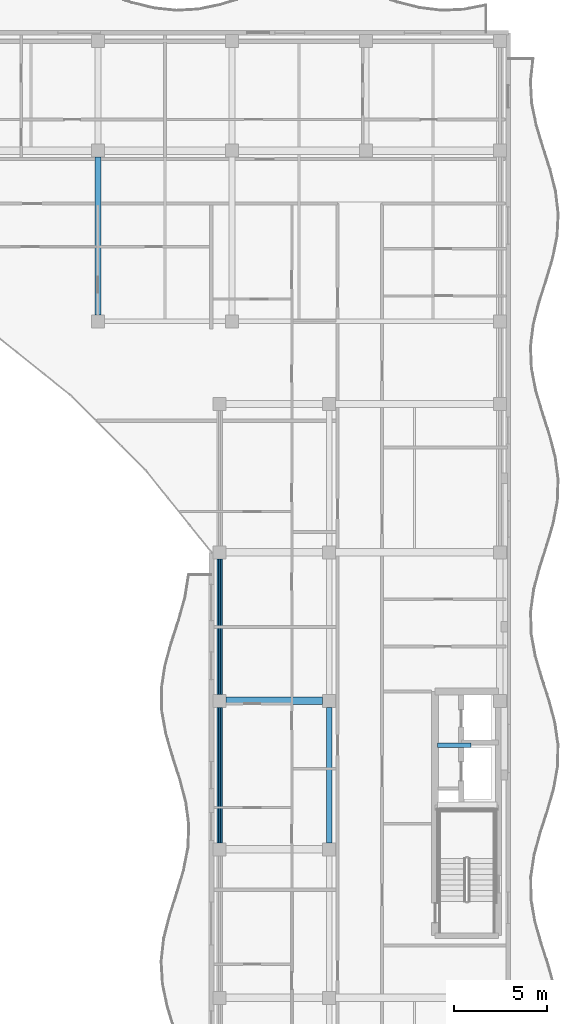
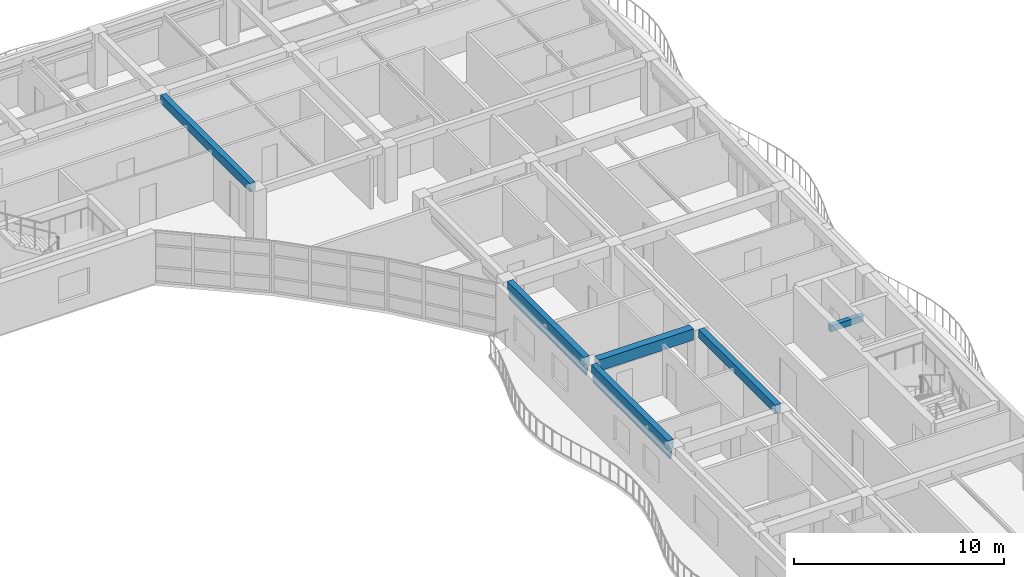
# One storey, part 66 of 128: 6 beams, 4 members.
"""IFC4 building model written with IfcOpenShell, lengths in metres."""

from ifc_helpers import new_model, si_unit, direction, frame, origin, origin_2d, place, context, subcontext, project, spatial, rectangle, hollow_rectangle, extrude, material, material_profile, profile_set, type_object, element, save


model = new_model("IFC4")

# Units and contexts
model_context = context("Model", 3, precision=1e-05, world=origin(), true_north=direction((0.0, 1.0)))
body_context = subcontext(model_context, "Body", "Model", "MODEL_VIEW")
ifc_project = project(units=[si_unit("LENGTHUNIT", "METRE"), si_unit("AREAUNIT", "SQUARE_METRE"), si_unit("VOLUMEUNIT", "CUBIC_METRE"), si_unit("PLANEANGLEUNIT", "RADIAN"), si_unit("MASSUNIT", "GRAM", prefix="KILO")], contexts=[model_context])

# Site, building, storey
site_placement = place(None, origin())
site = spatial("IfcSite", under=ifc_project, at=site_placement, CompositionType="ELEMENT")
building_placement = place(site_placement, origin())
building = spatial("IfcBuilding", under=site, at=building_placement, Name="Keldmere Railside Commons", CompositionType="ELEMENT")
storey_placement = place(building_placement, frame((0.0, 0.0, 4.159912109375)))
storey = spatial("IfcBuildingStorey", under=building, at=storey_placement, Name="L01", CompositionType="ELEMENT", Elevation=4.159912109375)

# Members
ifc_material_1 = material(Name="Steel F-36 (S355)", Category="steel")
ifc_material_profile_1 = material_profile(ifc_material_1, hollow_rectangle(XDim=0.14990234375, YDim=0.25, WallThickness=0.010009765625, at=origin_2d()), Name="RHS-250x150x10")
ifc_profile_set_1 = profile_set([ifc_material_profile_1], Name="Steel F-36 (S355)")
member_type_1 = type_object("IfcMemberType", Name="Balcony Continuous Planted Trough RHS250x150", PredefinedType="CHORD", material=ifc_profile_set_1)
for number, where, z_axis, x_axis, name in (
    (1, (168.449951171875, 72.35009765625, 2.4150390625), (0.0, 1.0, 0.0), (-1.0, 0.0, 0.0), "PLT-1 MEM-BPLT-0195"),
    (2, (168.449951171875, 80.35009765625, 2.4150390625), (0.0, 1.0, 0.0), (-1.0, 0.0, 0.0), "PLT-1 MEM-BPLT-0197"),
):
    element("IfcMember", number, at=place(storey_placement, frame(where, z_axis=z_axis, x_axis=x_axis)), inside=storey, type_object=member_type_1, Name=name, PredefinedType="CHORD", context=body_context, shape_type="SweptSolid", body=[
        extrude(hollow_rectangle(XDim=0.14990234375, YDim=0.25, WallThickness=0.010009765625, at=origin_2d()), origin(), (0.0, 0.0, 1.0), 7.2998046875),
    ])

# Beams
ifc_material_2 = material(Name="Concrete H-30 (C30/37)", Category="concrete")
ifc_material_profile_2 = material_profile(ifc_material_2, rectangle(XDim=0.25, YDim=0.35009765625, at=origin_2d()), Name="RC-250x350")
ifc_profile_set_2 = profile_set([ifc_material_profile_2], Name="Concrete H-30 (C30/37)")
beam_type_1 = type_object("IfcBeamType", Name="Masonry Opening RC Lintel 250x350", PredefinedType="LINTEL", material=ifc_profile_set_2)
beam_1_placement = place(storey_placement, frame((180.18994140625, 77.60009765625, 2.425048828125), z_axis=(1.0, 0.0, 0.0), x_axis=(0.0, 1.0, 0.0)))
element("IfcBeam", 3, at=beam_1_placement, inside=storey, type_object=beam_type_1, Name="LNT-1 BM-L01-2566", PredefinedType="LINTEL", context=body_context, shape_type="SweptSolid", body=[
    extrude(rectangle(XDim=0.25, YDim=0.35009765625, at=origin_2d()), origin(), (0.0, 0.0, 1.0), 1.81005859375),
])
ifc_material_profile_3 = material_profile(ifc_material_2, rectangle(XDim=0.39990234375, YDim=0.64990234375, at=origin_2d()), Name="RC-400x650")
ifc_profile_set_3 = profile_set([ifc_material_profile_3], Name="Concrete H-30 (C30/37)")
beam_type_2 = type_object("IfcBeamType", Name="Residential Spine RC Girder 400x650", PredefinedType="BEAM", material=ifc_profile_set_3)
beam_2_placement = place(storey_placement, frame((168.800048828125, 80.0, 2.875), z_axis=(1.0, 0.0, 0.0), x_axis=(0.0, 1.0, 0.0)))
element("IfcBeam", 4, at=beam_2_placement, inside=storey, type_object=beam_type_2, Name="BG-3 BM-L01-0802", PredefinedType="BEAM", context=body_context, shape_type="SweptSolid", body=[
    extrude(rectangle(XDim=0.39990234375, YDim=0.64990234375, at=origin_2d()), origin(), (0.0, 0.0, 1.0), 5.199951171875),
])
ifc_material_profile_4 = material_profile(ifc_material_2, rectangle(XDim=0.300048828125, YDim=0.5, at=origin_2d()), Name="RC-300x500")
ifc_profile_set_4 = profile_set([ifc_material_profile_4], Name="Concrete H-30 (C30/37)")
beam_type_3 = type_object("IfcBeamType", Name="Secondary Frame RC Beam 300x500", PredefinedType="BEAM", material=ifc_profile_set_4)
beam_3_placement = place(storey_placement, frame((161.889892578125, 100.800048828125, 2.9501953125), z_axis=(0.0, 1.0, 0.0), x_axis=(-1.0, 0.0, 0.0)))
element("IfcBeam", 5, at=beam_3_placement, inside=storey, type_object=beam_type_3, Name="BG-5 BM-L01-0953", PredefinedType="BEAM", context=body_context, shape_type="SweptSolid", body=[
    extrude(rectangle(XDim=0.300048828125, YDim=0.5, at=origin_2d()), origin(), (0.0, 0.0, 1.0), 8.5),
])
for number, where, z_axis, x_axis, name in (
    (6, (168.449951171875, 72.35009765625, 2.9501953125), (0.0, 1.0, 0.0), (-1.0, 0.0, 0.0), "BG-5 BM-L01-0960"),
    (7, (168.449951171875, 80.35009765625, 2.9501953125), (0.0, 1.0, 0.0), (-1.0, 0.0, 0.0), "BG-5 BM-L01-0961"),
    (8, (174.35009765625, 72.35009765625, 2.9501953125), (0.0, 1.0, 0.0), (-1.0, 0.0, 0.0), "BG-5 BM-L01-0967"),
):
    element("IfcBeam", number, at=place(storey_placement, frame(where, z_axis=z_axis, x_axis=x_axis)), inside=storey, type_object=beam_type_3, Name=name, PredefinedType="BEAM", context=body_context, shape_type="SweptSolid", body=[
        extrude(rectangle(XDim=0.300048828125, YDim=0.5, at=origin_2d()), origin(), (0.0, 0.0, 1.0), 7.2998046875),
    ])

# Members
ifc_material_profile_5 = material_profile(ifc_material_1, hollow_rectangle(XDim=0.10009765625, YDim=0.159912109375, WallThickness=0.008056640625, at=origin_2d()), Name="RHS-160x100x8")
ifc_profile_set_5 = profile_set([ifc_material_profile_5], Name="Steel F-36 (S355)")
member_type_2 = type_object("IfcMemberType", Name="Solar Brise-Soleil Louvre Fin RHS160x100", PredefinedType="STRUT", material=ifc_profile_set_5)
for number, where, z_axis, x_axis, name in (
    (9, (168.449951171875, 72.35009765625, 2.2001953125), (0.0, 1.0, 0.0), (-1.0, 0.0, 0.0), "BSF-1 MEM-BSF-0196"),
    (10, (168.449951171875, 80.35009765625, 2.2001953125), (0.0, 1.0, 0.0), (-1.0, 0.0, 0.0), "BSF-1 MEM-BSF-0198"),
):
    element("IfcMember", number, at=place(storey_placement, frame(where, z_axis=z_axis, x_axis=x_axis)), inside=storey, type_object=member_type_2, Name=name, PredefinedType="STRUT", context=body_context, shape_type="SweptSolid", body=[
        extrude(hollow_rectangle(XDim=0.10009765625, YDim=0.159912109375, WallThickness=0.008056640625, at=origin_2d()), origin(), (0.0, 0.0, 1.0), 7.2998046875),
    ])

save(model, "model.ifc")
